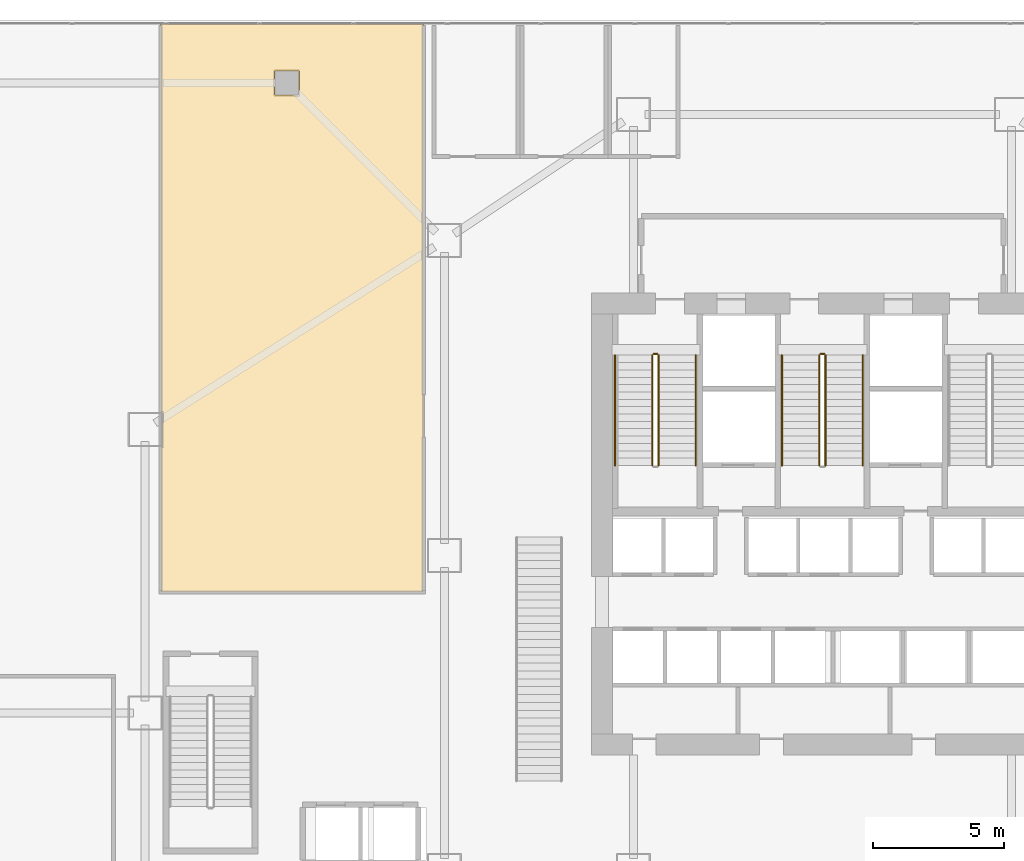
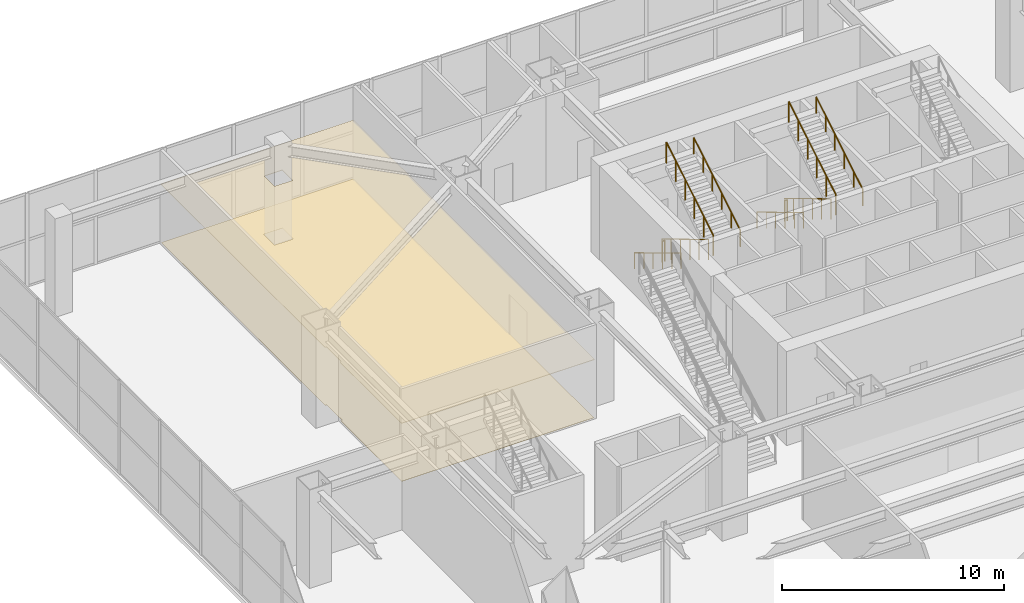
# One storey, part 35 of 37: 10 railings, 2 coverings.
"""IFC4 building model written with IfcOpenShell, lengths in metres."""

from ifc_helpers import new_model, si_unit, direction, frame, origin, origin_2d, place, context, subcontext, project, spatial, polyline, circle, outline, extrude, material, layer, layer_set, type_object, element, save


model = new_model("IFC4")

# Units and contexts
model_context = context("Model", 3, precision=1e-05, world=origin(), true_north=direction((0.0, 1.0)))
body_context = subcontext(model_context, "Body", "Model", "MODEL_VIEW")
ifc_project = project(units=[si_unit("LENGTHUNIT", "METRE"), si_unit("AREAUNIT", "SQUARE_METRE"), si_unit("VOLUMEUNIT", "CUBIC_METRE"), si_unit("PLANEANGLEUNIT", "RADIAN"), si_unit("MASSUNIT", "GRAM", prefix="KILO")], contexts=[model_context])

# Site, building, storey
site_placement = place(None, origin())
site = spatial("IfcSite", under=ifc_project, at=site_placement, CompositionType="ELEMENT")
building_placement = place(site_placement, origin())
building = spatial("IfcBuilding", under=site, at=building_placement, Name="Haolan Belvedere Tower", CompositionType="ELEMENT")
storey_placement = place(building_placement, frame((0.0, 0.0, 10.199951171875)))
storey = spatial("IfcBuildingStorey", under=building, at=storey_placement, Name="L02", CompositionType="ELEMENT", Elevation=10.199951171875)

# Coverings
ifc_material_1 = material(Name="Acoustic mineral-fibre suspended ceiling system", Category="masonry")
ifc_layer_1 = layer(ifc_material_1, 0.02490234375, Name="Acoustic mineral-fibre suspended ceiling system")
ifc_layer_set_1 = layer_set([ifc_layer_1], Name="Acoustic mineral-fibre suspended ceiling system")
covering_type_1 = type_object("IfcCoveringType", Name="COV-CEIL-AC25", PredefinedType="CEILING", material=ifc_layer_set_1)
covering_1_placement = place(storey_placement, frame((0.0, 0.0, 3.199951171875)))
element("IfcCovering", 1, at=covering_1_placement, inside=storey, type_object=covering_type_1, Name="L02 suspended acoustic ceiling L02-GBW.2", PredefinedType="CEILING", context=body_context, shape_type="SweptSolid", body=[
    extrude(outline(polyline([(23.2119140625, 32.18798828125), (23.2119140625, 53.862060546875), (13.18798828125, 53.862060546875), (13.18798828125, 39.06494140625), (13.264892578125, 39.06494140625), (13.264892578125, 37.735107421875), (13.18798828125, 37.735107421875), (13.18798828125, 32.18798828125), (23.2119140625, 32.18798828125)]), holes=[polyline([(17.534912109375, 51.135009765625), (17.534912109375, 52.06494140625), (18.465087890625, 52.06494140625), (18.465087890625, 51.135009765625), (17.534912109375, 51.135009765625)])]), origin(), (0.0, 0.0, 1.0), 0.025146484375),
])
ifc_material_2 = material(Name="Honed terrazzo and natural granite stone flooring", Category="masonry")
ifc_layer_2 = layer(ifc_material_2, 0.014892578125, Name="Honed terrazzo and natural granite stone flooring")
ifc_layer_set_2 = layer_set([ifc_layer_2], Name="Honed terrazzo and natural granite stone flooring")
covering_type_2 = type_object("IfcCoveringType", Name="COV-FLR-STN30", PredefinedType="FLOORING", material=ifc_layer_set_2)
covering_2_placement = place(storey_placement, origin())
element("IfcCovering", 2, at=covering_2_placement, inside=storey, type_object=covering_type_2, Name="L02 polished stone floor finish L02-GBW.2", PredefinedType="FLOORING", context=body_context, shape_type="SweptSolid", body=[
    extrude(outline(polyline([(23.18701171875, 53.8369140625), (13.212890625, 53.8369140625), (13.212890625, 39.090087890625), (13.2900390625, 39.090087890625), (13.2900390625, 37.7099609375), (13.212890625, 37.7099609375), (13.212890625, 32.212890625), (23.18701171875, 32.212890625), (23.18701171875, 53.8369140625)]), holes=[polyline([(17.510009765625, 52.090087890625), (18.489990234375, 52.090087890625), (18.489990234375, 51.110107421875), (17.510009765625, 51.110107421875), (17.510009765625, 52.090087890625)])]), origin(), (0.0, 0.0, 1.0), 0.01513671875),
])

# Railings
ifc_material_3 = material(Name="Brushed stainless steel 304", Category="steel")
railing_type_1 = type_object("IfcRailingType", Name="RL-STAIR-GRD-1150", PredefinedType="GUARDRAIL", material=ifc_material_3)
railing_1_placement = place(storey_placement, frame((31.919921875, 41.22998046875, 0.168701171875)))
element("IfcRailing", 3, at=railing_1_placement, inside=storey, type_object=railing_type_1, Name="L02 ST1 stair guard 1", PredefinedType="GUARDRAIL", context=body_context, shape_type="SweptSolid", body=[
    extrude(circle(Radius=0.02392578125, at=origin_2d()), frame((0.0, 0.0, 1.1259765625), z_axis=(0.0, -0.856476492594, 0.516186030065), x_axis=(1.0, 0.0, 0.0)), (0.0, 0.0, 1.0), 4.90380859375),
    extrude(circle(Radius=0.02099609375, at=origin_2d()), origin(), (0.0, 0.0, 1.0), 1.101806640625),
    extrude(circle(Radius=0.02099609375, at=origin_2d()), frame((0.0, -0.840087890625, 0.50634765625)), (0.0, 0.0, 1.0), 1.101806640625),
    extrude(circle(Radius=0.02099609375, at=origin_2d()), frame((0.0, -1.679931640625, 1.012451171875)), (0.0, 0.0, 1.0), 1.101806640625),
    extrude(circle(Radius=0.02099609375, at=origin_2d()), frame((0.0, -2.52001953125, 1.518798828125)), (0.0, 0.0, 1.0), 1.101806640625),
    extrude(circle(Radius=0.02099609375, at=origin_2d()), frame((0.0, -3.35986328125, 2.02490234375)), (0.0, 0.0, 1.0), 1.101806640625),
    extrude(circle(Radius=0.02099609375, at=origin_2d()), frame((0.0, -4.199951171875, 2.53125)), (0.0, 0.0, 1.0), 1.101806640625),
])
railing_2_placement = place(storey_placement, frame((32.159912109375, 37.030029296875, 2.868896484375)))
element("IfcRailing", 4, at=railing_2_placement, inside=storey, type_object=railing_type_1, Name="L02 ST1 stair guard 3", PredefinedType="GUARDRAIL", context=body_context, shape_type="SweptSolid", body=[
    extrude(circle(Radius=0.02392578125, at=origin_2d()), frame((0.0, 0.0, 1.1259765625), z_axis=(0.0, 0.856476492594, 0.516186030065), x_axis=(-1.0, 0.0, 0.0)), (0.0, 0.0, 1.0), 4.90380859375),
    extrude(circle(Radius=0.02099609375, at=origin_2d()), origin(), (0.0, 0.0, 1.0), 1.101806640625),
    extrude(circle(Radius=0.02099609375, at=origin_2d()), frame((0.0, 0.840087890625, 0.50634765625)), (0.0, 0.0, 1.0), 1.101806640625),
    extrude(circle(Radius=0.02099609375, at=origin_2d()), frame((0.0, 1.679931640625, 1.012451171875)), (0.0, 0.0, 1.0), 1.101806640625),
    extrude(circle(Radius=0.02099609375, at=origin_2d()), frame((0.0, 2.52001953125, 1.518798828125)), (0.0, 0.0, 1.0), 1.101806640625),
    extrude(circle(Radius=0.02099609375, at=origin_2d()), frame((0.0, 3.35986328125, 2.02490234375)), (0.0, 0.0, 1.0), 1.101806640625),
    extrude(circle(Radius=0.02099609375, at=origin_2d()), frame((0.0, 4.199951171875, 2.53125)), (0.0, 0.0, 1.0), 1.101806640625),
])
railing_3_placement = place(storey_placement, frame((31.969970703125, 41.280029296875, 0.0)))
element("IfcRailing", 5, at=railing_3_placement, inside=storey, type_object=railing_type_1, Name="L02 ST1 stair guard 4", PredefinedType="GUARDRAIL", context=body_context, shape_type="SweptSolid", body=[
    extrude(circle(Radius=0.02392578125, at=origin_2d()), frame((0.0, 0.0, 1.1259765625), z_axis=(1.0, 0.0, 0.0), x_axis=(0.0, 1.0, 0.0)), (0.0, 0.0, 1.0), 0.14013671875),
    extrude(circle(Radius=0.02099609375, at=origin_2d()), origin(), (0.0, 0.0, 1.0), 1.101806640625),
    extrude(circle(Radius=0.02099609375, at=origin_2d()), frame((0.14013671875, 0.0, 0.0)), (0.0, 0.0, 1.0), 1.101806640625),
])
railing_4_placement = place(storey_placement, frame((38.280029296875, 41.22998046875, 0.168701171875)))
element("IfcRailing", 6, at=railing_4_placement, inside=storey, type_object=railing_type_1, Name="L02 ST3 stair guard 1", PredefinedType="GUARDRAIL", context=body_context, shape_type="SweptSolid", body=[
    extrude(circle(Radius=0.02392578125, at=origin_2d()), frame((0.0, 0.0, 1.1259765625), z_axis=(0.0, -0.856476492594, 0.516186030065), x_axis=(1.0, 0.0, 0.0)), (0.0, 0.0, 1.0), 4.90380859375),
    extrude(circle(Radius=0.02099609375, at=origin_2d()), origin(), (0.0, 0.0, 1.0), 1.101806640625),
    extrude(circle(Radius=0.02099609375, at=origin_2d()), frame((0.0, -0.840087890625, 0.50634765625)), (0.0, 0.0, 1.0), 1.101806640625),
    extrude(circle(Radius=0.02099609375, at=origin_2d()), frame((0.0, -1.679931640625, 1.012451171875)), (0.0, 0.0, 1.0), 1.101806640625),
    extrude(circle(Radius=0.02099609375, at=origin_2d()), frame((0.0, -2.52001953125, 1.518798828125)), (0.0, 0.0, 1.0), 1.101806640625),
    extrude(circle(Radius=0.02099609375, at=origin_2d()), frame((0.0, -3.35986328125, 2.02490234375)), (0.0, 0.0, 1.0), 1.101806640625),
    extrude(circle(Radius=0.02099609375, at=origin_2d()), frame((0.0, -4.199951171875, 2.53125)), (0.0, 0.0, 1.0), 1.101806640625),
])
railing_5_placement = place(storey_placement, frame((38.52001953125, 37.030029296875, 2.868896484375)))
element("IfcRailing", 7, at=railing_5_placement, inside=storey, type_object=railing_type_1, Name="L02 ST3 stair guard 3", PredefinedType="GUARDRAIL", context=body_context, shape_type="SweptSolid", body=[
    extrude(circle(Radius=0.02392578125, at=origin_2d()), frame((0.0, 0.0, 1.1259765625), z_axis=(0.0, 0.856476492594, 0.516186030065), x_axis=(-1.0, 0.0, 0.0)), (0.0, 0.0, 1.0), 4.90380859375),
    extrude(circle(Radius=0.02099609375, at=origin_2d()), origin(), (0.0, 0.0, 1.0), 1.101806640625),
    extrude(circle(Radius=0.02099609375, at=origin_2d()), frame((0.0, 0.840087890625, 0.50634765625)), (0.0, 0.0, 1.0), 1.101806640625),
    extrude(circle(Radius=0.02099609375, at=origin_2d()), frame((0.0, 1.679931640625, 1.012451171875)), (0.0, 0.0, 1.0), 1.101806640625),
    extrude(circle(Radius=0.02099609375, at=origin_2d()), frame((0.0, 2.52001953125, 1.518798828125)), (0.0, 0.0, 1.0), 1.101806640625),
    extrude(circle(Radius=0.02099609375, at=origin_2d()), frame((0.0, 3.35986328125, 2.02490234375)), (0.0, 0.0, 1.0), 1.101806640625),
    extrude(circle(Radius=0.02099609375, at=origin_2d()), frame((0.0, 4.199951171875, 2.53125)), (0.0, 0.0, 1.0), 1.101806640625),
])
railing_6_placement = place(storey_placement, frame((38.330078125, 41.280029296875, 0.0)))
element("IfcRailing", 8, at=railing_6_placement, inside=storey, type_object=railing_type_1, Name="L02 ST3 stair guard 4", PredefinedType="GUARDRAIL", context=body_context, shape_type="SweptSolid", body=[
    extrude(circle(Radius=0.02392578125, at=origin_2d()), frame((0.0, 0.0, 1.1259765625), z_axis=(1.0, 0.0, 0.0), x_axis=(0.0, 1.0, 0.0)), (0.0, 0.0, 1.0), 0.139892578125),
    extrude(circle(Radius=0.02099609375, at=origin_2d()), origin(), (0.0, 0.0, 1.0), 1.101806640625),
    extrude(circle(Radius=0.02099609375, at=origin_2d()), frame((0.139892578125, 0.0, 0.0)), (0.0, 0.0, 1.0), 1.101806640625),
])
railing_type_2 = type_object("IfcRailingType", Name="RL-STAIR-HND-900", PredefinedType="HANDRAIL", material=ifc_material_3)
railing_7_placement = place(storey_placement, frame((30.5, 41.22998046875, 0.168701171875)))
element("IfcRailing", 9, at=railing_7_placement, inside=storey, type_object=railing_type_2, Name="L02 ST1 stair handrail 1", PredefinedType="HANDRAIL", context=body_context, shape_type="SweptSolid", body=[
    extrude(circle(Radius=0.02392578125, at=origin_2d()), frame((0.0, 0.0, 0.8759765625), z_axis=(0.0, -0.856476492594, 0.516186030065), x_axis=(1.0, 0.0, 0.0)), (0.0, 0.0, 1.0), 4.90380859375),
    extrude(circle(Radius=0.02099609375, at=origin_2d()), origin(), (0.0, 0.0, 1.0), 0.851806640625),
    extrude(circle(Radius=0.02099609375, at=origin_2d()), frame((0.0, -0.840087890625, 0.50634765625)), (0.0, 0.0, 1.0), 0.851806640625),
    extrude(circle(Radius=0.02099609375, at=origin_2d()), frame((0.0, -1.679931640625, 1.012451171875)), (0.0, 0.0, 1.0), 0.851806640625),
    extrude(circle(Radius=0.02099609375, at=origin_2d()), frame((0.0, -2.52001953125, 1.518798828125)), (0.0, 0.0, 1.0), 0.851806640625),
    extrude(circle(Radius=0.02099609375, at=origin_2d()), frame((0.0, -3.35986328125, 2.02490234375)), (0.0, 0.0, 1.0), 0.851806640625),
    extrude(circle(Radius=0.02099609375, at=origin_2d()), frame((0.0, -4.199951171875, 2.53125)), (0.0, 0.0, 1.0), 0.851806640625),
])
railing_8_placement = place(storey_placement, frame((33.580078125, 37.030029296875, 2.868896484375)))
element("IfcRailing", 10, at=railing_8_placement, inside=storey, type_object=railing_type_2, Name="L02 ST1 stair handrail 2", PredefinedType="HANDRAIL", context=body_context, shape_type="SweptSolid", body=[
    extrude(circle(Radius=0.02392578125, at=origin_2d()), frame((0.0, 0.0, 0.8759765625), z_axis=(0.0, 0.856476492594, 0.516186030065), x_axis=(-1.0, 0.0, 0.0)), (0.0, 0.0, 1.0), 4.90380859375),
    extrude(circle(Radius=0.02099609375, at=origin_2d()), origin(), (0.0, 0.0, 1.0), 0.851806640625),
    extrude(circle(Radius=0.02099609375, at=origin_2d()), frame((0.0, 0.840087890625, 0.50634765625)), (0.0, 0.0, 1.0), 0.851806640625),
    extrude(circle(Radius=0.02099609375, at=origin_2d()), frame((0.0, 1.679931640625, 1.012451171875)), (0.0, 0.0, 1.0), 0.851806640625),
    extrude(circle(Radius=0.02099609375, at=origin_2d()), frame((0.0, 2.52001953125, 1.518798828125)), (0.0, 0.0, 1.0), 0.851806640625),
    extrude(circle(Radius=0.02099609375, at=origin_2d()), frame((0.0, 3.35986328125, 2.02490234375)), (0.0, 0.0, 1.0), 0.851806640625),
    extrude(circle(Radius=0.02099609375, at=origin_2d()), frame((0.0, 4.199951171875, 2.53125)), (0.0, 0.0, 1.0), 0.851806640625),
])
railing_9_placement = place(storey_placement, frame((36.860107421875, 41.22998046875, 0.168701171875)))
element("IfcRailing", 11, at=railing_9_placement, inside=storey, type_object=railing_type_2, Name="L02 ST3 stair handrail 1", PredefinedType="HANDRAIL", context=body_context, shape_type="SweptSolid", body=[
    extrude(circle(Radius=0.02392578125, at=origin_2d()), frame((0.0, 0.0, 0.8759765625), z_axis=(0.0, -0.856476492594, 0.516186030065), x_axis=(1.0, 0.0, 0.0)), (0.0, 0.0, 1.0), 4.90380859375),
    extrude(circle(Radius=0.02099609375, at=origin_2d()), origin(), (0.0, 0.0, 1.0), 0.851806640625),
    extrude(circle(Radius=0.02099609375, at=origin_2d()), frame((0.0, -0.840087890625, 0.50634765625)), (0.0, 0.0, 1.0), 0.851806640625),
    extrude(circle(Radius=0.02099609375, at=origin_2d()), frame((0.0, -1.679931640625, 1.012451171875)), (0.0, 0.0, 1.0), 0.851806640625),
    extrude(circle(Radius=0.02099609375, at=origin_2d()), frame((0.0, -2.52001953125, 1.518798828125)), (0.0, 0.0, 1.0), 0.851806640625),
    extrude(circle(Radius=0.02099609375, at=origin_2d()), frame((0.0, -3.35986328125, 2.02490234375)), (0.0, 0.0, 1.0), 0.851806640625),
    extrude(circle(Radius=0.02099609375, at=origin_2d()), frame((0.0, -4.199951171875, 2.53125)), (0.0, 0.0, 1.0), 0.851806640625),
])
railing_10_placement = place(storey_placement, frame((39.93994140625, 37.030029296875, 2.868896484375)))
element("IfcRailing", 12, at=railing_10_placement, inside=storey, type_object=railing_type_2, Name="L02 ST3 stair handrail 2", PredefinedType="HANDRAIL", context=body_context, shape_type="SweptSolid", body=[
    extrude(circle(Radius=0.02392578125, at=origin_2d()), frame((0.0, 0.0, 0.8759765625), z_axis=(0.0, 0.856476492594, 0.516186030065), x_axis=(-1.0, 0.0, 0.0)), (0.0, 0.0, 1.0), 4.90380859375),
    extrude(circle(Radius=0.02099609375, at=origin_2d()), origin(), (0.0, 0.0, 1.0), 0.851806640625),
    extrude(circle(Radius=0.02099609375, at=origin_2d()), frame((0.0, 0.840087890625, 0.50634765625)), (0.0, 0.0, 1.0), 0.851806640625),
    extrude(circle(Radius=0.02099609375, at=origin_2d()), frame((0.0, 1.679931640625, 1.012451171875)), (0.0, 0.0, 1.0), 0.851806640625),
    extrude(circle(Radius=0.02099609375, at=origin_2d()), frame((0.0, 2.52001953125, 1.518798828125)), (0.0, 0.0, 1.0), 0.851806640625),
    extrude(circle(Radius=0.02099609375, at=origin_2d()), frame((0.0, 3.35986328125, 2.02490234375)), (0.0, 0.0, 1.0), 0.851806640625),
    extrude(circle(Radius=0.02099609375, at=origin_2d()), frame((0.0, 4.199951171875, 2.53125)), (0.0, 0.0, 1.0), 0.851806640625),
])

save(model, "model.ifc")
